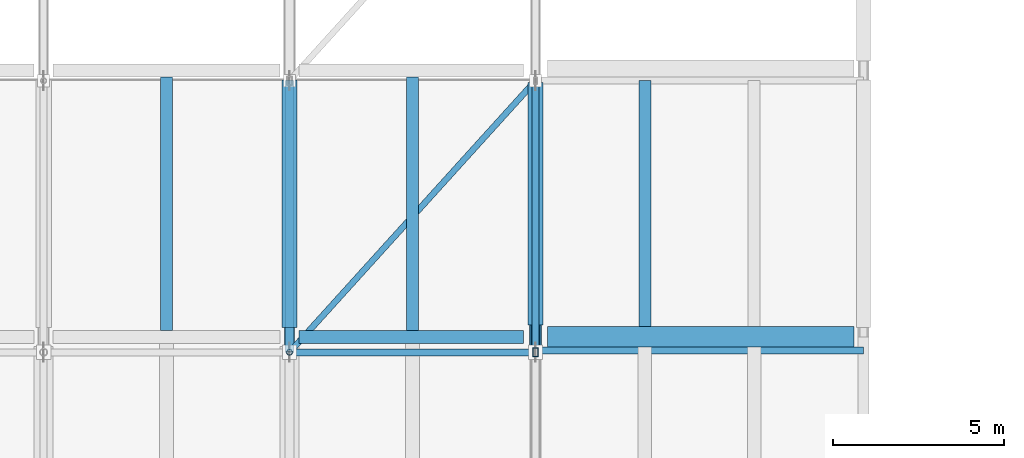
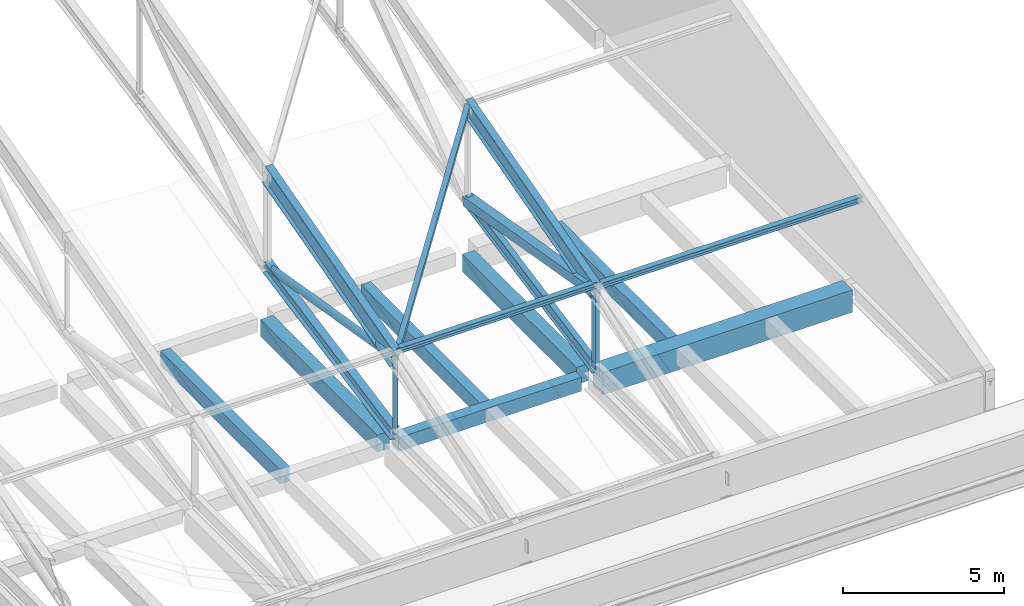
# One storey, part 10 of 53: 11 beams, 7 members.
"""IFC4 building model written with IfcOpenShell, lengths in metres."""

import ifcopenshell
import ifcopenshell.guid

model = None  # the IFC model being written
_history = None  # IfcOwnerHistory: only IFC2X3 demands one
_inside = {}  # id of a spatial element -> (the spatial element, [elements in it])
_under = {}  # id of a project, library or spatial element -> (it, [spatial elements below it])
_declared = {}  # id of a project -> (the project, [libraries it declares])
_typed = {}  # id of a type object -> (the type object, [elements of that type])
_made_of = {}  # id of a material, layer set ... -> (it, [elements and type objects made of it])


def new_model(schema):
    """Start an empty IFC model of exactly this schema.

    Asked for "IFC4X3", IfcOpenShell would pick the latest addendum, in which some entities
    have other attributes; the version numbers below select the first issue.
    IFC2X3 requires an IfcOwnerHistory on every rooted entity: one is made here for all.
    """
    global model, _history
    if schema == "IFC4X3":
        model = ifcopenshell.file(schema_version=(4, 3, 0, 0))
    else:
        model = ifcopenshell.file(schema=schema)
    _inside.clear()
    _under.clear()
    _declared.clear()
    _typed.clear()
    _made_of.clear()
    _history = None
    if model.schema == "IFC2X3":
        org = make("IfcOrganization", Name="unknown")
        user = make(
            "IfcPersonAndOrganization",
            ThePerson=make("IfcPerson", FamilyName="unknown"),
            TheOrganization=org,
        )
        app = make(
            "IfcApplication",
            ApplicationDeveloper=org,
            Version="unknown",
            ApplicationFullName="unknown",
            ApplicationIdentifier="unknown",
        )
        _history = make(
            "IfcOwnerHistory",
            OwningUser=user,
            OwningApplication=app,
            ChangeAction="ADDED",
            CreationDate=0,
        )
    return model


def make(cls, **values):
    """One entity of the class cls with the attributes given. An attribute that is None is left unset."""
    return model.create_entity(
        cls, **{name: value for name, value in values.items() if value is not None}
    )


def rooted(cls, **values):
    """An entity with a GlobalId (a new one), such as an element, a storey or a relation."""
    return make(cls, GlobalId=ifcopenshell.guid.new(), OwnerHistory=_history, **values)


def si_unit(unit_type, name, prefix=None):
    """IfcSIUnit, for example si_unit("LENGTHUNIT", "METRE", prefix="MILLI")."""
    return make("IfcSIUnit", UnitType=unit_type, Prefix=prefix, Name=name)


def assignment(units):
    """IfcUnitAssignment: the units of a project."""
    return None if units is None else make("IfcUnitAssignment", Units=units)


def point(xyz):
    """IfcCartesianPoint."""
    return None if xyz is None else make("IfcCartesianPoint", Coordinates=xyz)


def direction(xyz):
    """IfcDirection."""
    return None if xyz is None else make("IfcDirection", DirectionRatios=xyz)


def frame(location, z_axis=None, x_axis=None):
    """IfcAxis2Placement3D, a coordinate frame: its origin and axes. An axis left out is left unset."""
    return make(
        "IfcAxis2Placement3D",
        Location=point(location),
        Axis=direction(z_axis),
        RefDirection=direction(x_axis),
    )


def frame_2d(location, x_axis=None):
    """IfcAxis2Placement2D, a coordinate frame in the plane: its origin and x axis."""
    return make(
        "IfcAxis2Placement2D", Location=point(location), RefDirection=direction(x_axis)
    )


def origin():
    """The frame at (0, 0, 0) with its axes left unset."""
    return frame((0.0, 0.0, 0.0))


def origin_2d():
    """The frame at (0, 0) in the plane with its x axis left unset."""
    return frame_2d((0.0, 0.0))


def place(relative_to, where):
    """IfcLocalPlacement: puts the frame where relative to a parent placement (None: the world)."""
    return make(
        "IfcLocalPlacement", PlacementRelTo=relative_to, RelativePlacement=where
    )


def context(
    kind, dimensions, precision=None, world=None, true_north=None, identifier=None
):
    """IfcGeometricRepresentationContext, for example the 3D "Model" context."""
    return make(
        "IfcGeometricRepresentationContext",
        ContextIdentifier=identifier,
        ContextType=kind,
        CoordinateSpaceDimension=dimensions,
        Precision=precision,
        WorldCoordinateSystem=world,
        TrueNorth=true_north,
    )


def subcontext(parent, identifier, kind, view, scale=None):
    """IfcGeometricRepresentationSubContext, for example "Body" below "Model"."""
    return make(
        "IfcGeometricRepresentationSubContext",
        ContextIdentifier=identifier,
        ContextType=kind,
        ParentContext=parent,
        TargetScale=scale,
        TargetView=view,
    )


def project(units=None, contexts=None):
    """IfcProject with its units and contexts."""
    return rooted(
        "IfcProject",
        Name="project",
        RepresentationContexts=contexts,
        UnitsInContext=assignment(units),
    )


def spatial(cls, under=None, at=None, **own):
    """A site, building, storey or space (cls), placed at a placement, below another one or the project."""
    s = rooted(cls, ObjectPlacement=at, **own)
    if under is not None:
        _under.setdefault(under.id(), (under, []))[1].append(s)
    return s


def profile(cls, at=None, kind="AREA", **sizes):
    """A parametric profile (cls). Its sizes go by their IFC names, for example OverallWidth=200.0."""
    return make(cls, ProfileType=kind, Position=at, **sizes)


def rectangle(**sizes):
    """IfcRectangleProfileDef."""
    return profile("IfcRectangleProfileDef", **sizes)


def hollow_rectangle(**sizes):
    """IfcRectangleHollowProfileDef."""
    return profile("IfcRectangleHollowProfileDef", **sizes)


def hollow_circle(**sizes):
    """IfcCircleHollowProfileDef."""
    return profile("IfcCircleHollowProfileDef", **sizes)


def i_section(**sizes):
    """IfcIShapeProfileDef."""
    return profile("IfcIShapeProfileDef", **sizes)


def extrude(swept, where, along, depth):
    """IfcExtrudedAreaSolid: the profile swept, set in the frame where, extruded along a direction by depth."""
    return make(
        "IfcExtrudedAreaSolid",
        SweptArea=swept,
        Position=where,
        ExtrudedDirection=direction(along),
        Depth=depth,
    )


def shape(context_of_items, identifier, shape_type, items):
    """IfcShapeRepresentation: the items that make up one representation, for example the "Body"."""
    return make(
        "IfcShapeRepresentation",
        ContextOfItems=context_of_items,
        RepresentationIdentifier=identifier,
        RepresentationType=shape_type,
        Items=items,
    )


def material(Name=None, Category=None):
    """IfcMaterial."""
    return make("IfcMaterial", Name=Name, Category=Category)


def material_profile(
    of_material, cross_section, Name=None, Category=None, Priority=None
):
    """IfcMaterialProfile: a cross section and its material."""
    return make(
        "IfcMaterialProfile",
        Name=Name,
        Material=of_material,
        Profile=cross_section,
        Priority=Priority,
        Category=Category,
    )


def profile_set(profiles, Name=None, composite=None):
    """IfcMaterialProfileSet."""
    return make(
        "IfcMaterialProfileSet",
        Name=Name,
        MaterialProfiles=profiles,
        CompositeProfile=composite,
    )


def made_of(thing, what):
    """Note that an element or type object is made of a material, layer set ...; save() writes the relation."""
    if what is not None:
        _made_of.setdefault(what.id(), (what, []))[1].append(thing)
    return thing


def type_object(cls, material=None, **own):
    """A type object (cls), such as IfcWallType, which elements share."""
    return made_of(rooted(cls, **own), material)


def element(
    cls,
    number,
    at=None,
    inside=None,
    cuts=None,
    type_object=None,
    material=None,
    context=None,
    identifier="Body",
    shape_type=None,
    held_by="IfcProductDefinitionShape",
    body=None,
    shapes=None,
    **own,
):
    """One element of the class cls, such as IfcWall. Its Tag is "e" and its number.

    at: its placement. inside: the storey or other place that contains it. cuts: it is an
    opening in that element (IfcRelVoidsElement). A single representation is given by context,
    identifier, shape_type and body (its items); several are given by shapes. held_by: the class
    of the entity that holds the representations. save() writes the other relations.
    """
    e = rooted(cls, Tag="e%d" % number, ObjectPlacement=at, **own)
    if body is not None:
        shapes = [shape(context, identifier, shape_type, body)]
    if shapes is not None:
        e.Representation = make(held_by, Representations=shapes)
    if inside is not None:
        _inside.setdefault(inside.id(), (inside, []))[1].append(e)
    if cuts is not None:
        rooted(
            "IfcRelVoidsElement", RelatingBuildingElement=cuts, RelatedOpeningElement=e
        )
    if type_object is not None:
        _typed.setdefault(type_object.id(), (type_object, []))[1].append(e)
    return made_of(e, material)


def aggregate(whole, parts):
    """IfcRelAggregates: a whole, such as a stair, and the parts it consists of."""
    return rooted("IfcRelAggregates", RelatingObject=whole, RelatedObjects=parts)


def save(model, path):
    """Write the relations noted so far, then the file.

    IfcRelAggregates (storeys below a building ...), IfcRelContainedInSpatialStructure (elements
    in a storey), IfcRelDefinesByType, IfcRelAssociatesMaterial and IfcRelDeclares: one each for
    every whole, place, type object, material and project.
    """
    for whole, parts in _under.values():
        aggregate(whole, parts)
    for where, things in _inside.values():
        rooted(
            "IfcRelContainedInSpatialStructure",
            RelatedElements=things,
            RelatingStructure=where,
        )
    for kind, things in _typed.values():
        rooted("IfcRelDefinesByType", RelatedObjects=things, RelatingType=kind)
    for what, things in _made_of.values():
        rooted("IfcRelAssociatesMaterial", RelatedObjects=things, RelatingMaterial=what)
    for by, libraries in _declared.values():
        rooted("IfcRelDeclares", RelatingContext=by, RelatedDefinitions=libraries)
    model.write(path)


model = new_model("IFC4")

# Units and contexts
model_context = context("Model", 3, precision=1e-05, world=origin(), true_north=direction((0.0, 1.0)))
body_context = subcontext(model_context, "Body", "Model", "MODEL_VIEW")
ifc_project = project(units=[si_unit("LENGTHUNIT", "METRE"), si_unit("AREAUNIT", "SQUARE_METRE"), si_unit("VOLUMEUNIT", "CUBIC_METRE"), si_unit("PLANEANGLEUNIT", "RADIAN"), si_unit("MASSUNIT", "GRAM", prefix="KILO")], contexts=[model_context])

# Site, building, storey
site_placement = place(None, origin())
site = spatial("IfcSite", under=ifc_project, at=site_placement, CompositionType="ELEMENT")
building_placement = place(site_placement, origin())
building = spatial("IfcBuilding", under=site, at=building_placement, Name="Pellamere Symphony Hall", CompositionType="ELEMENT")
storey_placement = place(building_placement, frame((0.0, 0.0, 24.0)))
storey = spatial("IfcBuildingStorey", under=building, at=storey_placement, Name="L05", CompositionType="ELEMENT", Elevation=24.0)

# Beams
ifc_material_1 = material(Name="Concrete 40 MPa", Category="concrete")
ifc_material_profile_1 = material_profile(ifc_material_1, rectangle(XDim=0.60009765625, YDim=0.85009765625, at=origin_2d()), Name="RC 600x850")
ifc_profile_set_1 = profile_set([ifc_material_profile_1], Name="Concrete 40 MPa")
beam_type_1 = type_object("IfcBeamType", Name="RC CB-04 600x850", PredefinedType="BEAM", material=ifc_profile_set_1)
beam_1_placement = place(storey_placement, frame((109.550048828125, 38.39990234375, -0.68505859375), z_axis=(1.0, 0.0, 0.0), x_axis=(0.0, 1.0, 0.0)))
element("IfcBeam", 1, at=beam_1_placement, inside=storey, type_object=beam_type_1, Name="Girder CB-04-X2018 (L05)", PredefinedType="BEAM", context=body_context, shape_type="SweptSolid", body=[
    extrude(rectangle(XDim=0.60009765625, YDim=0.85009765625, at=origin_2d()), origin(), (0.0, 0.0, 1.0), 8.974853515625),
])
ifc_material_profile_2 = material_profile(ifc_material_1, rectangle(XDim=0.449951171875, YDim=0.64990234375, at=origin_2d()), Name="RC 450x650")
ifc_profile_set_2 = profile_set([ifc_material_profile_2], Name="Concrete 40 MPa")
beam_type_2 = type_object("IfcBeamType", Name="RC CB-08 450x650", PredefinedType="BEAM", material=ifc_profile_set_2)
beam_2_placement = place(storey_placement, frame((102.0, 38.675048828125, -0.5849609375), z_axis=(0.0, 1.0, 0.0), x_axis=(-1.0, 0.0, 0.0)))
element("IfcBeam", 2, at=beam_2_placement, inside=storey, type_object=beam_type_2, Name="Girder CB-08-Y2097 (L05)", PredefinedType="BEAM", context=body_context, shape_type="SweptSolid", body=[
    extrude(rectangle(XDim=0.449951171875, YDim=0.64990234375, at=origin_2d()), origin(), (0.0, 0.0, 1.0), 7.25),
])
beam_3_placement = place(storey_placement, frame((109.199951171875, 38.75, -0.5849609375), z_axis=(0.0, 1.0, 0.0), x_axis=(-1.0, 0.0, 0.0)))
element("IfcBeam", 3, at=beam_3_placement, inside=storey, type_object=beam_type_2, Name="Girder CB-08-Y2099 (L05)", PredefinedType="BEAM", context=body_context, shape_type="SweptSolid", body=[
    extrude(rectangle(XDim=0.449951171875, YDim=0.64990234375, at=origin_2d()), origin(), (0.0, 0.0, 1.0), 7.10009765625),
])
ifc_material_2 = material(Name="Concrete 35 MPa", Category="concrete")
ifc_material_profile_3 = material_profile(ifc_material_2, rectangle(XDim=0.35009765625, YDim=0.550048828125, at=origin_2d()), Name="RC 350x550")
ifc_profile_set_3 = profile_set([ifc_material_profile_3], Name="Concrete 35 MPa")
beam_type_3 = type_object("IfcBeamType", Name="RC CB-10 350x550", PredefinedType="BEAM", material=ifc_profile_set_3)
for number, where, z_axis, x_axis, name in (
    (4, (98.39990234375, 38.590087890625, -0.550048828125), (0.0, 1.0, 0.0), (-1.0, 0.0, 0.0), "Secondary Floor Beam CB-10-M1205 (L05)"),
    (5, (105.60009765625, 38.590087890625, -0.550048828125), (0.0, 1.0, 0.0), (-1.0, 0.0, 0.0), "Secondary Floor Beam CB-10-M1305 (L05)"),
):
    element("IfcBeam", number, at=place(storey_placement, frame(where, z_axis=z_axis, x_axis=x_axis)), inside=storey, type_object=beam_type_3, Name=name, PredefinedType="BEAM", context=body_context, shape_type="SweptSolid", body=[
        extrude(rectangle(XDim=0.35009765625, YDim=0.550048828125, at=origin_2d()), origin(), (0.0, 0.0, 1.0), 7.419921875),
    ])
beam_4_placement = place(storey_placement, frame((112.39990234375, 38.699951171875, -0.550048828125), z_axis=(0.0, 1.0, 0.0), x_axis=(-1.0, 0.0, 0.0)))
element("IfcBeam", 6, at=beam_4_placement, inside=storey, type_object=beam_type_3, Name="Secondary Floor Beam CB-10-A1405 (L05)", PredefinedType="BEAM", context=body_context, shape_type="SweptSolid", body=[
    extrude(rectangle(XDim=0.35009765625, YDim=0.550048828125, at=origin_2d()), origin(), (0.0, 0.0, 1.0), 7.199951171875),
])
ifc_material_profile_4 = material_profile(ifc_material_1, rectangle(XDim=0.3798828125, YDim=0.52001953125, at=origin_2d()), Name="RC 380x520")
ifc_profile_set_4 = profile_set([ifc_material_profile_4], Name="Concrete 40 MPa")
beam_type_4 = type_object("IfcBeamType", Name="RC CB-21 380x520", PredefinedType="BEAM", material=ifc_profile_set_4)
beam_5_placement = place(storey_placement, frame((102.27490234375, 38.39990234375, -0.52001953125), z_axis=(1.0, 0.0, 0.0), x_axis=(0.0, 1.0, 0.0)))
element("IfcBeam", 7, at=beam_5_placement, inside=storey, type_object=beam_type_4, Name="Girder CB-21-X2017 (L05)", PredefinedType="BEAM", context=body_context, shape_type="SweptSolid", body=[
    extrude(rectangle(XDim=0.3798828125, YDim=0.52001953125, at=origin_2d()), origin(), (0.0, 0.0, 1.0), 6.5751953125),
])
ifc_material_3 = material(Name="Steel CSA G40.21 350W", Category="steel")
ifc_material_profile_5 = material_profile(ifc_material_3, i_section(OverallWidth=0.26806640625, OverallDepth=0.77001953125, WebThickness=0.015625, FlangeThickness=0.025390625, at=origin_2d()), Name="W760X196")
ifc_profile_set_5 = profile_set([ifc_material_profile_5], Name="Steel CSA G40.21 350W")
beam_type_5 = type_object("IfcBeamType", Name="Steel Beam SB-06 W760X196", PredefinedType="BEAM", material=ifc_profile_set_5)
beam_6_placement = place(storey_placement, frame((102.0, 37.949951171875, 3.0400390625), z_axis=(0.0, 0.964090435702, 0.265574154969), x_axis=(-1.0, 0.0, 0.0)))
element("IfcBeam", 8, at=beam_6_placement, inside=storey, type_object=beam_type_5, Name="Roof Truss TR-07 Top Chord 2", PredefinedType="BEAM", context=body_context, shape_type="SweptSolid", body=[
    extrude(i_section(OverallWidth=0.26806640625, OverallDepth=0.77001953125, WebThickness=0.015625, FlangeThickness=0.025390625, at=origin_2d()), origin(), (0.0, 0.0, 1.0), 8.24609375),
])
ifc_material_profile_6 = material_profile(ifc_material_3, i_section(OverallWidth=0.25390625, OverallDepth=0.68798828125, WebThickness=0.01318359375, FlangeThickness=0.02099609375, at=origin_2d()), Name="W690X152")
ifc_profile_set_6 = profile_set([ifc_material_profile_6], Name="Steel CSA G40.21 350W")
beam_type_6 = type_object("IfcBeamType", Name="Steel Beam SB-08 W690X152", PredefinedType="BEAM", material=ifc_profile_set_6)
beam_7_placement = place(storey_placement, frame((109.199951171875, 37.949951171875, 3.0810546875), z_axis=(0.0, 0.964090435702, 0.265574154969), x_axis=(-1.0, 0.0, 0.0)))
element("IfcBeam", 9, at=beam_7_placement, inside=storey, type_object=beam_type_6, Name="Roof Truss TR-08 Top Chord 2", PredefinedType="BEAM", context=body_context, shape_type="SweptSolid", body=[
    extrude(i_section(OverallWidth=0.25390625, OverallDepth=0.68798828125, WebThickness=0.01318359375, FlangeThickness=0.02099609375, at=origin_2d()), origin(), (0.0, 0.0, 1.0), 8.24609375),
])
ifc_material_profile_7 = material_profile(ifc_material_3, i_section(OverallWidth=0.282958984375, OverallDepth=0.471923828125, WebThickness=0.013671875, FlangeThickness=0.022216796875, at=origin_2d()), Name="W460X144")
ifc_profile_set_7 = profile_set([ifc_material_profile_7], Name="Steel CSA G40.21 350W")
beam_type_7 = type_object("IfcBeamType", Name="Steel Beam SB-15 W460X144", PredefinedType="BEAM", material=ifc_profile_set_7)
beam_8_placement = place(storey_placement, frame((102.0, 37.949951171875, 0.159912109375), z_axis=(0.0, 0.981591064498, 0.19099471746), x_axis=(-1.0, 0.0, 0.0)))
element("IfcBeam", 10, at=beam_8_placement, inside=storey, type_object=beam_type_7, Name="Roof Truss TR-07 Bottom Chord 2", PredefinedType="BEAM", context=body_context, shape_type="SweptSolid", body=[
    extrude(i_section(OverallWidth=0.282958984375, OverallDepth=0.471923828125, WebThickness=0.013671875, FlangeThickness=0.022216796875, at=origin_2d()), origin(), (0.0, 0.0, 1.0), 8.09912109375),
])
ifc_material_profile_8 = material_profile(ifc_material_3, i_section(OverallWidth=0.194091796875, OverallDepth=0.468994140625, WebThickness=0.011474609375, FlangeThickness=0.019287109375, at=origin_2d()), Name="W460X106")
ifc_profile_set_8 = profile_set([ifc_material_profile_8], Name="Steel CSA G40.21 350W")
beam_type_8 = type_object("IfcBeamType", Name="Steel Beam SB-16 W460X106", PredefinedType="BEAM", material=ifc_profile_set_8)
beam_9_placement = place(storey_placement, frame((109.199951171875, 37.949951171875, 0.159912109375), z_axis=(0.0, 0.981591064498, 0.19099471746), x_axis=(-1.0, 0.0, 0.0)))
element("IfcBeam", 11, at=beam_9_placement, inside=storey, type_object=beam_type_8, Name="Roof Truss TR-08 Bottom Chord 2", PredefinedType="BEAM", context=body_context, shape_type="SweptSolid", body=[
    extrude(i_section(OverallWidth=0.194091796875, OverallDepth=0.468994140625, WebThickness=0.011474609375, FlangeThickness=0.019287109375, at=origin_2d()), origin(), (0.0, 0.0, 1.0), 8.09912109375),
])

# Members
ifc_material_profile_9 = material_profile(ifc_material_3, hollow_rectangle(XDim=0.355712890625, YDim=0.355712890625, WallThickness=0.015869140625, at=origin_2d()), Name="HSS356X356X16")
ifc_profile_set_9 = profile_set([ifc_material_profile_9], Name="Steel CSA G40.21 350W")
member_type_1 = type_object("IfcMemberType", Name="Steel Member SM-01 HSS356X356X16", PredefinedType="CHORD", material=ifc_profile_set_9)
member_1_placement = place(storey_placement, frame((109.199951171875, 37.949951171875, 3.0810546875), z_axis=(0.0, 0.985385591964, -0.170338589724), x_axis=(-1.0, 0.0, 0.0)))
element("IfcMember", 12, at=member_1_placement, inside=storey, type_object=member_type_1, Name="Roof Truss TR-08 Web Diagonal 2", PredefinedType="CHORD", context=body_context, shape_type="SweptSolid", body=[
    extrude(hollow_rectangle(XDim=0.355712890625, YDim=0.355712890625, WallThickness=0.015869140625, at=origin_2d()), origin(), (0.0, 0.0, 1.0), 8.06787109375),
])
ifc_material_profile_10 = material_profile(ifc_material_3, hollow_rectangle(XDim=0.177734375, YDim=0.177734375, WallThickness=0.009521484375, at=origin_2d()), Name="HSS178X178X10")
ifc_profile_set_10 = profile_set([ifc_material_profile_10], Name="Steel CSA G40.21 350W")
member_type_2 = type_object("IfcMemberType", Name="Steel Member SM-05 HSS178X178X10", PredefinedType="BRACE", material=ifc_profile_set_10)
member_2_placement = place(storey_placement, frame((102.0, 37.949951171875, 3.0400390625), z_axis=(0.657212802843, 0.725672934081, 0.203642148194), x_axis=(-0.741204587213, 0.67127919668, 0.0)))
element("IfcMember", 13, at=member_2_placement, inside=storey, type_object=member_type_2, Name="Roof Truss Plan Wind Brace 7.1", PredefinedType="BRACE", context=body_context, shape_type="SweptSolid", body=[
    extrude(hollow_rectangle(XDim=0.177734375, YDim=0.177734375, WallThickness=0.009521484375, at=origin_2d()), origin(), (0.0, 0.0, 1.0), 10.955322265625),
])
ifc_material_profile_11 = material_profile(ifc_material_3, hollow_rectangle(XDim=0.15234375, YDim=0.25390625, WallThickness=0.010986328125, at=origin_2d()), Name="HSS254X152X11")
ifc_profile_set_11 = profile_set([ifc_material_profile_11], Name="Steel CSA G40.21 350W")
member_type_3 = type_object("IfcMemberType", Name="Steel Member SM-07 HSS254X152X11", PredefinedType="STRUT", material=ifc_profile_set_11)
member_3_placement = place(storey_placement, frame((109.199951171875, 37.949951171875, 0.159912109375), z_axis=(0.0, 0.0, 1.0), x_axis=(1.0, 0.0, 0.0)))
element("IfcMember", 14, at=member_3_placement, inside=storey, type_object=member_type_3, Name="Roof Truss TR-08 Vertical Post 1", PredefinedType="STRUT", context=body_context, shape_type="SweptSolid", body=[
    extrude(hollow_rectangle(XDim=0.15234375, YDim=0.25390625, WallThickness=0.010986328125, at=origin_2d()), origin(), (0.0, 0.0, 1.0), 2.921142578125),
])
ifc_material_profile_12 = material_profile(ifc_material_3, hollow_circle(Radius=0.136474609375, WallThickness=0.009521484375, at=origin_2d()), Name="HSS273X10")
ifc_profile_set_12 = profile_set([ifc_material_profile_12], Name="Steel CSA G40.21 350W")
member_type_4 = type_object("IfcMemberType", Name="Steel Member SM-12 HSS273X10", PredefinedType="BRACE", material=ifc_profile_set_12)
member_4_placement = place(storey_placement, frame((102.0, 37.949951171875, 3.0400390625), z_axis=(0.0, 0.986227252152, -0.165395910205), x_axis=(-1.0, 0.0, 0.0)))
element("IfcMember", 15, at=member_4_placement, inside=storey, type_object=member_type_4, Name="Roof Truss TR-07 Web Diagonal 2", PredefinedType="BRACE", context=body_context, shape_type="SweptSolid", body=[
    extrude(hollow_circle(Radius=0.136474609375, WallThickness=0.009521484375, at=origin_2d()), origin(), (0.0, 0.0, 1.0), 8.06103515625),
])
ifc_material_profile_13 = material_profile(ifc_material_3, hollow_circle(Radius=0.084228515625, WallThickness=0.008056640625, at=origin_2d()), Name="HSS168X8")
ifc_profile_set_13 = profile_set([ifc_material_profile_13], Name="Steel CSA G40.21 350W")
member_type_5 = type_object("IfcMemberType", Name="Steel Member SM-14 HSS168X8", PredefinedType="COLLAR", material=ifc_profile_set_13)
member_5_placement = place(storey_placement, frame((102.0, 37.949951171875, 0.159912109375), z_axis=(0.0, 0.0, 1.0), x_axis=(1.0, 0.0, 0.0)))
element("IfcMember", 16, at=member_5_placement, inside=storey, type_object=member_type_5, Name="Roof Truss TR-07 Vertical Post 1", PredefinedType="COLLAR", context=body_context, shape_type="SweptSolid", body=[
    extrude(hollow_circle(Radius=0.084228515625, WallThickness=0.008056640625, at=origin_2d()), origin(), (0.0, 0.0, 1.0), 2.880126953125),
])
ifc_material_profile_14 = material_profile(ifc_material_3, i_section(OverallWidth=0.2041015625, OverallDepth=0.2060546875, WebThickness=0.0078125, FlangeThickness=0.0126953125, at=origin_2d()), Name="W200X52")
ifc_profile_set_14 = profile_set([ifc_material_profile_14], Name="Steel CSA G40.21 350W")
member_type_6 = type_object("IfcMemberType", Name="Steel Member SM-15 W200X52", PredefinedType="PURLIN", material=ifc_profile_set_14)
member_6_placement = place(storey_placement, frame((102.0, 37.949951171875, 3.322021484375), z_axis=(1.0, 0.0, 0.0), x_axis=(0.0, 1.0, 0.0)))
element("IfcMember", 17, at=member_6_placement, inside=storey, type_object=member_type_6, Name="Folded Roof Purlin 7.1", PredefinedType="PURLIN", context=body_context, shape_type="SweptSolid", body=[
    extrude(i_section(OverallWidth=0.2041015625, OverallDepth=0.2060546875, WebThickness=0.0078125, FlangeThickness=0.0126953125, at=origin_2d()), origin(), (0.0, 0.0, 1.0), 7.199951171875),
])
member_7_placement = place(storey_placement, frame((109.199951171875, 38.0, 3.203857421875), z_axis=(1.0, 0.0, 0.0), x_axis=(0.0, 1.0, 0.0)))
element("IfcMember", 18, at=member_7_placement, inside=storey, type_object=member_type_6, Name="Crystal Foyer Roof Purlin E.1", PredefinedType="PURLIN", context=body_context, shape_type="SweptSolid", body=[
    extrude(i_section(OverallWidth=0.2041015625, OverallDepth=0.2060546875, WebThickness=0.0078125, FlangeThickness=0.0126953125, at=origin_2d()), origin(), (0.0, 0.0, 1.0), 9.60009765625),
])

save(model, "model.ifc")
